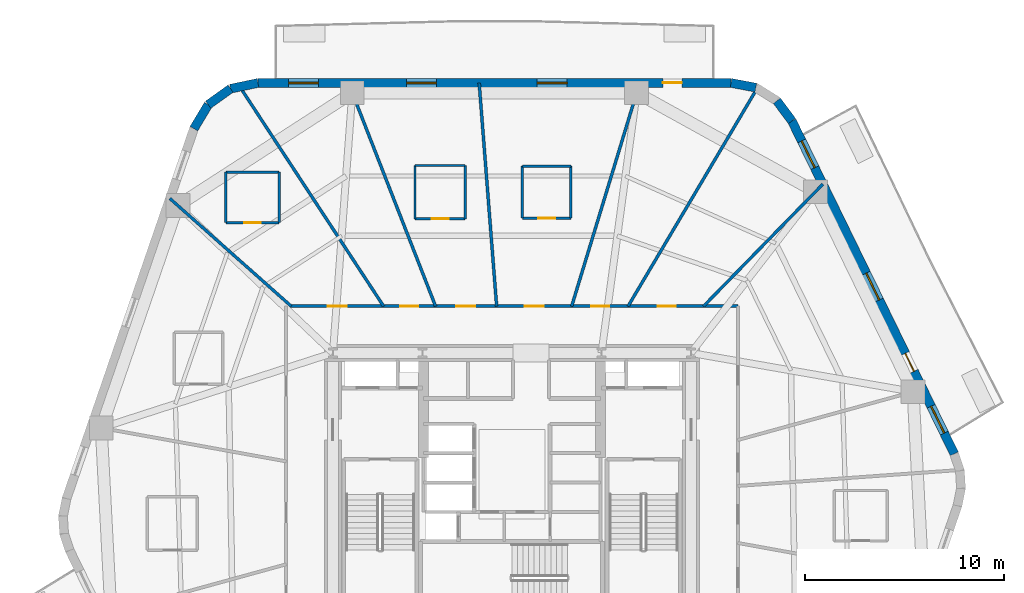
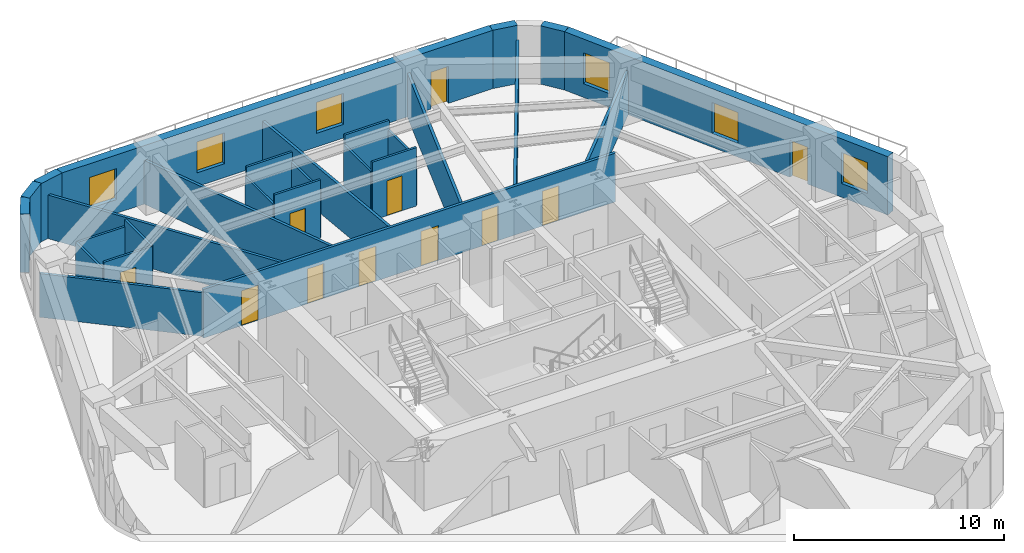
# One storey, part 6 of 10: 27 walls, 11 doors, 6 windows, 17 openings.
"""IFC4 building model written with IfcOpenShell, lengths in metres."""

from ifc_helpers import new_model, si_unit, direction, frame, frame_2d, origin, place, context, subcontext, project, spatial, rectangle, extrude, material, layer, layer_set, type_object, element, fill, save


model = new_model("IFC4")

# Units and contexts
model_context = context("Model", 3, precision=1e-05, world=origin(), true_north=direction((0.0, 1.0)))
body_context = subcontext(model_context, "Body", "Model", "MODEL_VIEW")
ifc_project = project(units=[si_unit("LENGTHUNIT", "METRE"), si_unit("AREAUNIT", "SQUARE_METRE"), si_unit("VOLUMEUNIT", "CUBIC_METRE"), si_unit("PLANEANGLEUNIT", "RADIAN"), si_unit("MASSUNIT", "GRAM", prefix="KILO")], contexts=[model_context])

# Site, building, storey
site_placement = place(None, origin())
site = spatial("IfcSite", under=ifc_project, at=site_placement, CompositionType="ELEMENT")
building_placement = place(site_placement, origin())
building = spatial("IfcBuilding", under=site, at=building_placement, Name="Kilnhurst Terrace Hotel", CompositionType="ELEMENT")
storey_placement = place(building_placement, frame((0.0, 0.0, 91.39990234375)))
storey = spatial("IfcBuildingStorey", under=building, at=storey_placement, Name="L21", CompositionType="ELEMENT", Elevation=91.39990234375)

# Walls
ifc_material_1 = material(Name="Precast concrete C40/50", Category="concrete")
ifc_layer_1 = layer(ifc_material_1, 0.449951171875, Name="Precast concrete C40/50")
ifc_layer_set_1 = layer_set([ifc_layer_1], Name="Precast concrete C40/50")
wall_type_1 = type_object("IfcWallType", Name="WL-BRK-450", PredefinedType="SOLIDWALL", material=ifc_layer_set_1)
for number, where, z_axis, x_axis, name in (
    (1, (14.07568359375, 19.16064453125, 0.0), (0.0, 0.0, 1.0), (-0.597226657159, 0.802072515412, 0.0), "L21 Rounded Corner Brick Wall C4.1"),
    (2, (12.25927734375, 20.840087890625, 0.0), (0.0, 0.0, 1.0), (-0.982730354425, 0.185043374624, 0.0), "L21 Rounded Corner Brick Wall C4.3"),
):
    element("IfcWall", number, at=place(storey_placement, frame(where, z_axis=z_axis, x_axis=x_axis)), inside=storey, type_object=wall_type_1, Name=name, PredefinedType="SOLIDWALL", context=body_context, shape_type="SweptSolid", body=[
        extrude(rectangle(XDim=1.269287109375, YDim=0.449951171875, at=frame_2d((0.634765625, 0.0))), origin(), (0.0, 0.0, 1.0), 3.400146484375),
    ])
wall_1_placement = place(storey_placement, frame((-12.7705078125, 21.074951171875, 0.0), z_axis=(0.0, 0.0, 1.0), x_axis=(-0.97874281988, -0.205091424819, 0.0)))
element("IfcWall", 3, at=wall_1_placement, inside=storey, type_object=wall_type_1, Name="L21 Rounded Corner Brick Wall C5.1", PredefinedType="SOLIDWALL", context=body_context, shape_type="SweptSolid", body=[
    extrude(rectangle(XDim=1.40576171875, YDim=0.449951171875, at=frame_2d((0.702880859375, 0.0))), origin(), (0.0, 0.0, 1.0), 3.400146484375),
])
wall_2_placement = place(storey_placement, frame((-14.146484375, 20.78662109375, 0.0), z_axis=(0.0, 0.0, 1.0), x_axis=(-0.814162929117, -0.580636482536, 0.0)))
element("IfcWall", 4, at=wall_2_placement, inside=storey, type_object=wall_type_1, Name="L21 Rounded Corner Brick Wall C5.2", PredefinedType="SOLIDWALL", context=body_context, shape_type="SweptSolid", body=[
    extrude(rectangle(XDim=1.382080078125, YDim=0.449951171875, at=frame_2d((0.69091796875, 0.0))), origin(), (0.0, 0.0, 1.0), 3.400146484375),
])
wall_3_placement = place(storey_placement, frame((-15.271728515625, 19.984130859375, 0.0), z_axis=(0.0, 0.0, 1.0), x_axis=(-0.512579347361, -0.858639862025, 0.0)))
element("IfcWall", 5, at=wall_3_placement, inside=storey, type_object=wall_type_1, Name="L21 Rounded Corner Brick Wall C5.3", PredefinedType="SOLIDWALL", context=body_context, shape_type="SweptSolid", body=[
    extrude(rectangle(XDim=1.406005859375, YDim=0.449951171875, at=frame_2d((0.703125, 0.0))), origin(), (0.0, 0.0, 1.0), 3.400146484375),
])

# Wall, openings, door, windows
wall_4_placement = place(storey_placement, frame((22.237548828125, 2.426513671875, 0.0), z_axis=(0.0, 0.0, 1.0), x_axis=(-0.438374803278, 0.898792262901, 0.0)))
wall_4 = element("IfcWall", 6, at=wall_4_placement, inside=storey, type_object=wall_type_1, Name="L21 Exterior Brick Facade Wall F3", PredefinedType="SOLIDWALL", context=body_context, shape_type="SweptSolid", body=[
    extrude(rectangle(XDim=18.618408203125, YDim=0.449951171875, at=frame_2d((9.30908203125, 0.0))), origin(), (0.0, 0.0, 1.0), 3.400146484375),
])
opening_1_placement = place(wall_4_placement, frame((4.6201171875, 0.0, 0.0)))
opening_1 = element("IfcOpeningElement", 7, at=opening_1_placement, cuts=wall_4, Name="Opening BD-1000", PredefinedType="OPENING", context=body_context, shape_type="SweptSolid", body=[
    extrude(rectangle(XDim=1.0, YDim=2.14990234375, at=frame_2d((0.5, 1.074951171875))), frame((0.0, 0.23486328125, 0.0), z_axis=(0.0, -1.0, 0.0), x_axis=(1.0, 0.0, 0.0)), (0.0, 0.0, 1.0), 0.469970703125),
])
opening_2_placement = place(wall_4_placement, frame((1.1630859375, 0.0, 0.800048828125)))
opening_2 = element("IfcOpeningElement", 8, at=opening_2_placement, cuts=wall_4, Name="Opening W-02", PredefinedType="OPENING", context=body_context, shape_type="SweptSolid", body=[
    extrude(rectangle(XDim=1.5, YDim=1.800048828125, at=frame_2d((0.75, 0.89990234375))), frame((0.0, 0.23486328125, 0.0), z_axis=(0.0, -1.0, 0.0), x_axis=(1.0, 0.0, 0.0)), (0.0, 0.0, 1.0), 0.469970703125),
])
opening_3_placement = place(wall_4_placement, frame((8.610107421875, 0.0, 0.800048828125)))
opening_3 = element("IfcOpeningElement", 9, at=opening_3_placement, cuts=wall_4, Name="Opening W-02", PredefinedType="OPENING", context=body_context, shape_type="SweptSolid", body=[
    extrude(rectangle(XDim=1.5, YDim=1.800048828125, at=frame_2d((0.75, 0.89990234375))), frame((0.0, 0.23486328125, 0.0), z_axis=(0.0, -1.0, 0.0), x_axis=(1.0, 0.0, 0.0)), (0.0, 0.0, 1.0), 0.469970703125),
])
opening_4_placement = place(wall_4_placement, frame((16.006103515625, 0.0, 0.800048828125)))
opening_4 = element("IfcOpeningElement", 10, at=opening_4_placement, cuts=wall_4, Name="Opening W-02", PredefinedType="OPENING", context=body_context, shape_type="SweptSolid", body=[
    extrude(rectangle(XDim=1.5, YDim=1.800048828125, at=frame_2d((0.75, 0.89990234375))), frame((0.0, 0.23486328125, 0.0), z_axis=(0.0, -1.0, 0.0), x_axis=(1.0, 0.0, 0.0)), (0.0, 0.0, 1.0), 0.469970703125),
])
ifc_material_2 = material(Name="Thermally Broken Bronze Aluminium Alloy 6063-T6 and Laminated Glass", Category="aluminium")
door_type_1 = type_object("IfcDoorType", Name="DR-EXT-BAL-1000", OperationType="NOTDEFINED", PredefinedType="DOOR", material=ifc_material_2)
door_1_placement = place(opening_1_placement, origin())
door_1 = element("IfcDoor", 11, at=door_1_placement, inside=storey, type_object=door_type_1, Name="L21 Planted Balcony Door BAL-L1A", OperationType="SINGLE_SWING_LEFT", OverallHeight=2.14990234375, OverallWidth=1.0, PredefinedType="DOOR", context=body_context, shape_type="SweptSolid", body=[
    extrude(rectangle(XDim=1.0, YDim=2.14990234375, at=frame_2d((0.5, 1.074951171875))), frame((0.0, 0.02490234375, 0.0), z_axis=(0.0, -1.0, 0.0), x_axis=(1.0, 0.0, 0.0)), (0.0, 0.0, 1.0), 0.050048828125),
])
fill(opening_1, door_1)
ifc_material_3 = material(Name="Thermally Broken Bronze Aluminium Alloy 6063-T6 and Low-E Glass", Category="aluminium")
window_type = type_object("IfcWindowType", Name="WIN-1500X1800", PartitioningType="SINGLE_PANEL", PredefinedType="WINDOW", material=ifc_material_3)
window_1_placement = place(opening_2_placement, origin())
window_1 = element("IfcWindow", 12, at=window_1_placement, inside=storey, type_object=window_type, Name="L21 Deep-Set Masonry Window F3.1", OverallHeight=1.800048828125, OverallWidth=1.5, PartitioningType="SINGLE_PANEL", PredefinedType="WINDOW", context=body_context, shape_type="SweptSolid", body=[
    extrude(rectangle(XDim=1.5, YDim=1.800048828125, at=frame_2d((0.75, 0.89990234375))), frame((0.0, 0.030029296875, 0.0), z_axis=(0.0, -1.0, 0.0), x_axis=(1.0, 0.0, 0.0)), (0.0, 0.0, 1.0), 0.06005859375),
])
fill(opening_2, window_1)
window_2_placement = place(opening_3_placement, origin())
window_2 = element("IfcWindow", 13, at=window_2_placement, inside=storey, type_object=window_type, Name="L21 Deep-Set Masonry Window F3.2", OverallHeight=1.800048828125, OverallWidth=1.5, PartitioningType="SINGLE_PANEL", PredefinedType="WINDOW", context=body_context, shape_type="SweptSolid", body=[
    extrude(rectangle(XDim=1.5, YDim=1.800048828125, at=frame_2d((0.75, 0.89990234375))), frame((0.0, 0.030029296875, 0.0), z_axis=(0.0, -1.0, 0.0), x_axis=(1.0, 0.0, 0.0)), (0.0, 0.0, 1.0), 0.06005859375),
])
fill(opening_3, window_2)
window_3_placement = place(opening_4_placement, origin())
window_3 = element("IfcWindow", 14, at=window_3_placement, inside=storey, type_object=window_type, Name="L21 Deep-Set Masonry Window F3.3", OverallHeight=1.800048828125, OverallWidth=1.5, PartitioningType="SINGLE_PANEL", PredefinedType="WINDOW", context=body_context, shape_type="SweptSolid", body=[
    extrude(rectangle(XDim=1.5, YDim=1.800048828125, at=frame_2d((0.75, 0.89990234375))), frame((0.0, 0.030029296875, 0.0), z_axis=(0.0, -1.0, 0.0), x_axis=(1.0, 0.0, 0.0)), (0.0, 0.0, 1.0), 0.06005859375),
])
fill(opening_4, window_3)

wall_5_placement = place(storey_placement, frame((11.011962890625, 21.074951171875, 0.0), z_axis=(0.0, 0.0, 1.0), x_axis=(-1.0, 0.0, 0.0)))
wall_5 = element("IfcWall", 15, at=wall_5_placement, inside=storey, type_object=wall_type_1, Name="L21 Exterior Brick Facade Wall F4", PredefinedType="SOLIDWALL", context=body_context, shape_type="SweptSolid", body=[
    extrude(rectangle(XDim=23.782470703125, YDim=0.449951171875, at=frame_2d((11.89111328125, 0.0))), origin(), (0.0, 0.0, 1.0), 3.400146484375),
])
opening_5_placement = place(wall_5_placement, frame((2.472900390625, 0.0, 0.0)))
opening_5 = element("IfcOpeningElement", 16, at=opening_5_placement, cuts=wall_5, Name="Opening BD-950", PredefinedType="OPENING", context=body_context, shape_type="SweptSolid", body=[
    extrude(rectangle(XDim=0.949951171875, YDim=2.14990234375, at=frame_2d((0.47509765625, 1.074951171875))), frame((0.0, 0.23486328125, 0.0), z_axis=(0.0, -1.0, 0.0), x_axis=(1.0, 0.0, 0.0)), (0.0, 0.0, 1.0), 0.469970703125),
])
opening_6_placement = place(wall_5_placement, frame((8.243896484375, 0.0, 0.800048828125)))
opening_6 = element("IfcOpeningElement", 17, at=opening_6_placement, cuts=wall_5, Name="Opening W-02", PredefinedType="OPENING", context=body_context, shape_type="SweptSolid", body=[
    extrude(rectangle(XDim=1.5, YDim=1.800048828125, at=frame_2d((0.75, 0.89990234375))), frame((0.0, 0.23486328125, 0.0), z_axis=(0.0, -1.0, 0.0), x_axis=(1.0, 0.0, 0.0)), (0.0, 0.0, 1.0), 0.469970703125),
])
opening_7_placement = place(wall_5_placement, frame((14.81103515625, 0.0, 0.800048828125)))
opening_7 = element("IfcOpeningElement", 18, at=opening_7_placement, cuts=wall_5, Name="Opening W-02", PredefinedType="OPENING", context=body_context, shape_type="SweptSolid", body=[
    extrude(rectangle(XDim=1.5, YDim=1.800048828125, at=frame_2d((0.75, 0.89990234375))), frame((0.0, 0.23486328125, 0.0), z_axis=(0.0, -1.0, 0.0), x_axis=(1.0, 0.0, 0.0)), (0.0, 0.0, 1.0), 0.469970703125),
])
opening_8_placement = place(wall_5_placement, frame((20.740966796875, 0.0, 0.800048828125)))
opening_8 = element("IfcOpeningElement", 19, at=opening_8_placement, cuts=wall_5, Name="Opening W-02", PredefinedType="OPENING", context=body_context, shape_type="SweptSolid", body=[
    extrude(rectangle(XDim=1.5, YDim=1.800048828125, at=frame_2d((0.75, 0.89990234375))), frame((0.0, 0.23486328125, 0.0), z_axis=(0.0, -1.0, 0.0), x_axis=(1.0, 0.0, 0.0)), (0.0, 0.0, 1.0), 0.469970703125),
])
door_type_2 = type_object("IfcDoorType", Name="DR-EXT-BAL-950", OperationType="NOTDEFINED", PredefinedType="DOOR", material=ifc_material_2)
door_2_placement = place(opening_5_placement, origin())
door_2 = element("IfcDoor", 20, at=door_2_placement, inside=storey, type_object=door_type_2, Name="L21 Planted Balcony Door BAL-L1B", OperationType="SINGLE_SWING_RIGHT", OverallHeight=2.14990234375, OverallWidth=0.949951171875, PredefinedType="DOOR", context=body_context, shape_type="SweptSolid", body=[
    extrude(rectangle(XDim=0.949951171875, YDim=2.14990234375, at=frame_2d((0.47509765625, 1.074951171875))), frame((0.0, 0.02490234375, 0.0), z_axis=(0.0, -1.0, 0.0), x_axis=(1.0, 0.0, 0.0)), (0.0, 0.0, 1.0), 0.050048828125),
])
fill(opening_5, door_2)
window_4_placement = place(opening_6_placement, origin())
window_4 = element("IfcWindow", 21, at=window_4_placement, inside=storey, type_object=window_type, Name="L21 Deep-Set Masonry Window F4.1", OverallHeight=1.800048828125, OverallWidth=1.5, PartitioningType="SINGLE_PANEL", PredefinedType="WINDOW", context=body_context, shape_type="SweptSolid", body=[
    extrude(rectangle(XDim=1.5, YDim=1.800048828125, at=frame_2d((0.75, 0.89990234375))), frame((0.0, 0.030029296875, 0.0), z_axis=(0.0, -1.0, 0.0), x_axis=(1.0, 0.0, 0.0)), (0.0, 0.0, 1.0), 0.06005859375),
])
fill(opening_6, window_4)
window_5_placement = place(opening_7_placement, origin())
window_5 = element("IfcWindow", 22, at=window_5_placement, inside=storey, type_object=window_type, Name="L21 Deep-Set Masonry Window F4.2", OverallHeight=1.800048828125, OverallWidth=1.5, PartitioningType="SINGLE_PANEL", PredefinedType="WINDOW", context=body_context, shape_type="SweptSolid", body=[
    extrude(rectangle(XDim=1.5, YDim=1.800048828125, at=frame_2d((0.75, 0.89990234375))), frame((0.0, 0.030029296875, 0.0), z_axis=(0.0, -1.0, 0.0), x_axis=(1.0, 0.0, 0.0)), (0.0, 0.0, 1.0), 0.06005859375),
])
fill(opening_7, window_5)
window_6_placement = place(opening_8_placement, origin())
window_6 = element("IfcWindow", 23, at=window_6_placement, inside=storey, type_object=window_type, Name="L21 Deep-Set Masonry Window F4.3", OverallHeight=1.800048828125, OverallWidth=1.5, PartitioningType="SINGLE_PANEL", PredefinedType="WINDOW", context=body_context, shape_type="SweptSolid", body=[
    extrude(rectangle(XDim=1.5, YDim=1.800048828125, at=frame_2d((0.75, 0.89990234375))), frame((0.0, 0.030029296875, 0.0), z_axis=(0.0, -1.0, 0.0), x_axis=(1.0, 0.0, 0.0)), (0.0, 0.0, 1.0), 0.06005859375),
])
fill(opening_8, window_6)

# Wall, openings, doors
ifc_material_4 = material(Name="Acoustic Double-Gypsum Corridor Partition Assembly")
ifc_layer_2 = layer(ifc_material_4, 0.14990234375, Name="Acoustic Double-Gypsum Corridor Partition Assembly")
ifc_layer_set_2 = layer_set([ifc_layer_2], Name="Acoustic Double-Gypsum Corridor Partition Assembly")
wall_type_2 = type_object("IfcWallType", Name="WL-COR-150", PredefinedType="PARTITIONING", material=ifc_layer_set_2)
wall_6_placement = place(storey_placement, frame((-11.35009765625, 9.85009765625, 0.0), z_axis=(0.0, 0.0, 1.0), x_axis=(1.0, 0.0, 0.0)))
wall_6 = element("IfcWall", 24, at=wall_6_placement, inside=storey, type_object=wall_type_2, Name="L21 Interior Wall WL-L21-COR-02", PredefinedType="PARTITIONING", context=body_context, shape_type="SweptSolid", body=[
    extrude(rectangle(XDim=22.7001953125, YDim=0.14990234375, at=frame_2d((11.35009765625, 0.0))), origin(), (0.0, 0.0, 1.0), 2.840087890625),
])
opening_9_placement = place(wall_6_placement, frame((18.678955078125, 0.0, 0.0)))
opening_9 = element("IfcOpeningElement", 25, at=opening_9_placement, cuts=wall_6, Name="Opening D-60C", PredefinedType="OPENING", context=body_context, shape_type="SweptSolid", body=[
    extrude(rectangle(XDim=0.89990234375, YDim=2.030029296875, at=frame_2d((0.449951171875, 1.01513671875))), frame((0.0, 0.0849609375, 0.0), z_axis=(0.0, -1.0, 0.0), x_axis=(1.0, 0.0, 0.0)), (0.0, 0.0, 1.0), 0.169921875),
])
opening_10_placement = place(wall_6_placement, frame((15.3369140625, 0.0, 0.0)))
opening_10 = element("IfcOpeningElement", 26, at=opening_10_placement, cuts=wall_6, Name="Opening D-60C", PredefinedType="OPENING", context=body_context, shape_type="SweptSolid", body=[
    extrude(rectangle(XDim=0.89990234375, YDim=2.030029296875, at=frame_2d((0.449951171875, 1.01513671875))), frame((0.0, 0.0849609375, 0.0), z_axis=(0.0, -1.0, 0.0), x_axis=(1.0, 0.0, 0.0)), (0.0, 0.0, 1.0), 0.169921875),
])
opening_11_placement = place(wall_6_placement, frame((11.993896484375, 0.0, 0.0)))
opening_11 = element("IfcOpeningElement", 27, at=opening_11_placement, cuts=wall_6, Name="Opening D-60B", PredefinedType="OPENING", context=body_context, shape_type="SweptSolid", body=[
    extrude(rectangle(XDim=0.949951171875, YDim=2.030029296875, at=frame_2d((0.47509765625, 1.01513671875))), frame((0.0, 0.0849609375, 0.0), z_axis=(0.0, -1.0, 0.0), x_axis=(1.0, 0.0, 0.0)), (0.0, 0.0, 1.0), 0.169921875),
])
opening_12_placement = place(wall_6_placement, frame((8.55908203125, 0.0, 0.0)))
opening_12 = element("IfcOpeningElement", 28, at=opening_12_placement, cuts=wall_6, Name="Opening D-60B", PredefinedType="OPENING", context=body_context, shape_type="SweptSolid", body=[
    extrude(rectangle(XDim=0.949951171875, YDim=2.030029296875, at=frame_2d((0.47509765625, 1.01513671875))), frame((0.0, 0.0849609375, 0.0), z_axis=(0.0, -1.0, 0.0), x_axis=(1.0, 0.0, 0.0)), (0.0, 0.0, 1.0), 0.169921875),
])
opening_13_placement = place(wall_6_placement, frame((5.72802734375, 0.0, 0.0)))
opening_13 = element("IfcOpeningElement", 29, at=opening_13_placement, cuts=wall_6, Name="Opening D-60C", PredefinedType="OPENING", context=body_context, shape_type="SweptSolid", body=[
    extrude(rectangle(XDim=0.89990234375, YDim=2.030029296875, at=frame_2d((0.449951171875, 1.01513671875))), frame((0.0, 0.0849609375, 0.0), z_axis=(0.0, -1.0, 0.0), x_axis=(1.0, 0.0, 0.0)), (0.0, 0.0, 1.0), 0.169921875),
])
opening_14_placement = place(wall_6_placement, frame((2.093017578125, 0.0, 0.0)))
opening_14 = element("IfcOpeningElement", 30, at=opening_14_placement, cuts=wall_6, Name="Opening D-60B", PredefinedType="OPENING", context=body_context, shape_type="SweptSolid", body=[
    extrude(rectangle(XDim=0.949951171875, YDim=2.030029296875, at=frame_2d((0.47509765625, 1.01513671875))), frame((0.0, 0.0849609375, 0.0), z_axis=(0.0, -1.0, 0.0), x_axis=(1.0, 0.0, 0.0)), (0.0, 0.0, 1.0), 0.169921875),
])
ifc_material_5 = material(Name="Painted Solid-Core Service Fire Door")
door_type_3 = type_object("IfcDoorType", Name="DR-FD60-900", OperationType="NOTDEFINED", PredefinedType="DOOR", material=ifc_material_5)
door_3_placement = place(opening_9_placement, origin())
door_3 = element("IfcDoor", 31, at=door_3_placement, inside=storey, type_object=door_type_3, Name="L21 Executive Work Office Door 3", OperationType="SINGLE_SWING_LEFT", OverallHeight=2.030029296875, OverallWidth=0.89990234375, PredefinedType="DOOR", context=body_context, shape_type="SweptSolid", body=[
    extrude(rectangle(XDim=0.89990234375, YDim=2.030029296875, at=frame_2d((0.449951171875, 1.01513671875))), frame((0.0, 0.02490234375, 0.0), z_axis=(0.0, -1.0, 0.0), x_axis=(1.0, 0.0, 0.0)), (0.0, 0.0, 1.0), 0.050048828125),
])
fill(opening_9, door_3)
door_4_placement = place(opening_10_placement, origin())
door_4 = element("IfcDoor", 32, at=door_4_placement, inside=storey, type_object=door_type_3, Name="L21 Botanical Reading Lounge Door 4", OperationType="SINGLE_SWING_RIGHT", OverallHeight=2.030029296875, OverallWidth=0.89990234375, PredefinedType="DOOR", context=body_context, shape_type="SweptSolid", body=[
    extrude(rectangle(XDim=0.89990234375, YDim=2.030029296875, at=frame_2d((0.449951171875, 1.01513671875))), frame((0.0, 0.02490234375, 0.0), z_axis=(0.0, -1.0, 0.0), x_axis=(1.0, 0.0, 0.0)), (0.0, 0.0, 1.0), 0.050048828125),
])
fill(opening_10, door_4)
door_5_placement = place(opening_13_placement, origin())
door_5 = element("IfcDoor", 33, at=door_5_placement, inside=storey, type_object=door_type_3, Name="L21 Private Meeting Salon Door 7", OperationType="SINGLE_SWING_LEFT", OverallHeight=2.030029296875, OverallWidth=0.89990234375, PredefinedType="DOOR", context=body_context, shape_type="SweptSolid", body=[
    extrude(rectangle(XDim=0.89990234375, YDim=2.030029296875, at=frame_2d((0.449951171875, 1.01513671875))), frame((0.0, 0.02490234375, 0.0), z_axis=(0.0, -1.0, 0.0), x_axis=(1.0, 0.0, 0.0)), (0.0, 0.0, 1.0), 0.050048828125),
])
fill(opening_13, door_5)
ifc_material_6 = material(Name="Acoustic Walnut Veneer Solid-Core Fire Door")
door_type_4 = type_object("IfcDoorType", Name="DR-FD60-950", OperationType="NOTDEFINED", PredefinedType="DOOR", material=ifc_material_6)
door_6_placement = place(opening_11_placement, origin())
door_6 = element("IfcDoor", 34, at=door_6_placement, inside=storey, type_object=door_type_4, Name="L21 Guest Room Entry Door 5", OperationType="SINGLE_SWING_LEFT", OverallHeight=2.030029296875, OverallWidth=0.949951171875, PredefinedType="DOOR", context=body_context, shape_type="SweptSolid", body=[
    extrude(rectangle(XDim=0.949951171875, YDim=2.030029296875, at=frame_2d((0.47509765625, 1.01513671875))), frame((0.0, 0.02490234375, 0.0), z_axis=(0.0, -1.0, 0.0), x_axis=(1.0, 0.0, 0.0)), (0.0, 0.0, 1.0), 0.050048828125),
])
fill(opening_11, door_6)
door_7_placement = place(opening_12_placement, origin())
door_7 = element("IfcDoor", 35, at=door_7_placement, inside=storey, type_object=door_type_4, Name="L21 Guest Room Entry Door 6", OperationType="SINGLE_SWING_RIGHT", OverallHeight=2.030029296875, OverallWidth=0.949951171875, PredefinedType="DOOR", context=body_context, shape_type="SweptSolid", body=[
    extrude(rectangle(XDim=0.949951171875, YDim=2.030029296875, at=frame_2d((0.47509765625, 1.01513671875))), frame((0.0, 0.02490234375, 0.0), z_axis=(0.0, -1.0, 0.0), x_axis=(1.0, 0.0, 0.0)), (0.0, 0.0, 1.0), 0.050048828125),
])
fill(opening_12, door_7)
door_8_placement = place(opening_14_placement, origin())
door_8 = element("IfcDoor", 36, at=door_8_placement, inside=storey, type_object=door_type_4, Name="L21 Guest Room Entry Door 8", OperationType="SINGLE_SWING_RIGHT", OverallHeight=2.030029296875, OverallWidth=0.949951171875, PredefinedType="DOOR", context=body_context, shape_type="SweptSolid", body=[
    extrude(rectangle(XDim=0.949951171875, YDim=2.030029296875, at=frame_2d((0.47509765625, 1.01513671875))), frame((0.0, 0.02490234375, 0.0), z_axis=(0.0, -1.0, 0.0), x_axis=(1.0, 0.0, 0.0)), (0.0, 0.0, 1.0), 0.050048828125),
])
fill(opening_14, door_8)

# Walls
ifc_material_7 = material(Name="STC-58 Acoustic Twin-Frame Guestroom Demising Partition")
ifc_layer_3 = layer(ifc_material_7, 0.14990234375, Name="STC-58 Acoustic Twin-Frame Guestroom Demising Partition")
ifc_layer_set_3 = layer_set([ifc_layer_3], Name="STC-58 Acoustic Twin-Frame Guestroom Demising Partition")
wall_type_3 = type_object("IfcWallType", Name="WL-DEM-150", PredefinedType="PARTITIONING", material=ifc_layer_set_3)
wall_7_placement = place(storey_placement, frame((9.6279296875, 9.85009765625, 0.0), z_axis=(0.0, 0.0, 1.0), x_axis=(0.698992824326, 0.715128681805, 0.0)))
element("IfcWall", 37, at=wall_7_placement, inside=storey, type_object=wall_type_3, Name="L21 Interior Wall WL-L21-DEM-COL02-03-1", PredefinedType="PARTITIONING", context=body_context, shape_type="SweptSolid", body=[
    extrude(rectangle(XDim=8.578857421875, YDim=0.14990234375, at=frame_2d((4.28955078125, 0.0))), origin(), (0.0, 0.0, 1.0), 2.5400390625),
])
wall_8_placement = place(storey_placement, frame((5.835205078125, 9.85009765625, 0.0), z_axis=(0.0, 0.0, 1.0), x_axis=(0.509682574642, 0.860362524234, 0.0)))
element("IfcWall", 38, at=wall_8_placement, inside=storey, type_object=wall_type_3, Name="L21 Interior Wall WL-L21-DEM-MID02-04-1", PredefinedType="PARTITIONING", context=body_context, shape_type="SweptSolid", body=[
    extrude(rectangle(XDim=12.567626953125, YDim=0.14990234375, at=frame_2d((6.28369140625, 0.0))), origin(), (0.0, 0.0, 1.0), 2.5400390625),
])
wall_9_placement = place(storey_placement, frame((3.0, 9.85009765625, 0.0), z_axis=(0.0, 0.0, 1.0), x_axis=(0.291352035382, 0.95661590593, 0.0)))
element("IfcWall", 39, at=wall_9_placement, inside=storey, type_object=wall_type_3, Name="L21 Interior Wall WL-L21-DEM-COL03-05-1", PredefinedType="PARTITIONING", context=body_context, shape_type="SweptSolid", body=[
    extrude(rectangle(XDim=11.73388671875, YDim=0.14990234375, at=frame_2d((5.866943359375, 0.0))), origin(), (0.0, 0.0, 1.0), 2.5400390625),
])
wall_10_placement = place(storey_placement, frame((-0.771728515625, 9.85009765625, 0.0), z_axis=(0.0, 0.0, 1.0), x_axis=(-0.078125747145, 0.996943512759, 0.0)))
element("IfcWall", 40, at=wall_10_placement, inside=storey, type_object=wall_type_3, Name="L21 Interior Wall WL-L21-DEM-MID03-06-1", PredefinedType="PARTITIONING", context=body_context, shape_type="SweptSolid", body=[
    extrude(rectangle(XDim=11.25927734375, YDim=0.14990234375, at=frame_2d((5.629638671875, 0.0))), origin(), (0.0, 0.0, 1.0), 2.5400390625),
])
wall_11_placement = place(storey_placement, frame((-3.84228515625, 9.85009765625, 0.0), z_axis=(0.0, 0.0, 1.0), x_axis=(-0.363432685593, 0.931620460833, 0.0)))
element("IfcWall", 41, at=wall_11_placement, inside=storey, type_object=wall_type_3, Name="L21 Interior Wall WL-L21-DEM-COL04-07-1", PredefinedType="PARTITIONING", context=body_context, shape_type="SweptSolid", body=[
    extrude(rectangle(XDim=12.048828125, YDim=0.14990234375, at=frame_2d((6.0244140625, 0.0))), origin(), (0.0, 0.0, 1.0), 2.5400390625),
])
wall_12_placement = place(storey_placement, frame((-6.453857421875, 9.85009765625, 0.0), z_axis=(0.0, 0.0, 1.0), x_axis=(-0.548052950111, 0.836443640584, 0.0)))
element("IfcWall", 42, at=wall_12_placement, inside=storey, type_object=wall_type_3, Name="L21 Interior Wall WL-L21-DEM-MID04-08-1", PredefinedType="PARTITIONING", context=body_context, shape_type="SweptSolid", body=[
    extrude(rectangle(XDim=13.019287109375, YDim=0.14990234375, at=frame_2d((6.509765625, 0.0))), origin(), (0.0, 0.0, 1.0), 2.5400390625),
])
wall_13_placement = place(storey_placement, frame((-11.097900390625, 9.85009765625, 0.0), z_axis=(0.0, 0.0, 1.0), x_axis=(-0.747904295103, 0.663806572253, 0.0)))
element("IfcWall", 43, at=wall_13_placement, inside=storey, type_object=wall_type_3, Name="L21 Interior Wall WL-L21-DEM-COL05-09-1", PredefinedType="PARTITIONING", context=body_context, shape_type="SweptSolid", body=[
    extrude(rectangle(XDim=8.160400390625, YDim=0.14990234375, at=frame_2d((4.080078125, 0.0))), origin(), (0.0, 0.0, 1.0), 2.5400390625),
])

# Wall, opening, door
ifc_material_8 = material(Name="120 mm Moisture-Resistant Tile-Backed Bathroom Partition")
ifc_layer_4 = layer(ifc_material_8, 0.1201171875, Name="120 mm Moisture-Resistant Tile-Backed Bathroom Partition")
ifc_layer_set_4 = layer_set([ifc_layer_4], Name="120 mm Moisture-Resistant Tile-Backed Bathroom Partition")
wall_type_4 = type_object("IfcWallType", Name="WL-PART-120", PredefinedType="PARTITIONING", material=ifc_layer_set_4)
wall_14_placement = place(storey_placement, frame((0.52099609375, 14.281982421875, 0.0), z_axis=(0.0, 0.0, 1.0), x_axis=(1.0, 0.0, 0.0)))
wall_14 = element("IfcWall", 44, at=wall_14_placement, inside=storey, type_object=wall_type_4, Name="L21 Interior Wall WL-L21-BTH-05-1", PredefinedType="PARTITIONING", context=body_context, shape_type="SweptSolid", body=[
    extrude(rectangle(XDim=2.43994140625, YDim=0.1201171875, at=frame_2d((1.219970703125, 0.0))), origin(), (0.0, 0.0, 1.0), 3.400146484375),
])
opening_15_placement = place(wall_14_placement, frame((0.794921875, 0.0, 0.0)))
opening_15 = element("IfcOpeningElement", 45, at=opening_15_placement, cuts=wall_14, Name="Opening D-08A", PredefinedType="OPENING", context=body_context, shape_type="SweptSolid", body=[
    extrude(rectangle(XDim=0.85009765625, YDim=2.030029296875, at=frame_2d((0.425048828125, 1.01513671875))), frame((0.0, 0.070068359375, 0.0), z_axis=(0.0, -1.0, 0.0), x_axis=(1.0, 0.0, 0.0)), (0.0, 0.0, 1.0), 0.14013671875),
])
ifc_material_9 = material(Name="Moisture-Resistant Lacquered En-suite Bathroom Door")
door_type_5 = type_object("IfcDoorType", Name="DR-INT-850", OperationType="NOTDEFINED", PredefinedType="DOOR", material=ifc_material_9)
door_9_placement = place(opening_15_placement, origin())
door_9 = element("IfcDoor", 46, at=door_9_placement, inside=storey, type_object=door_type_5, Name="L21 En-suite Bathroom Door 5", OperationType="SINGLE_SWING_RIGHT", OverallHeight=2.030029296875, OverallWidth=0.85009765625, PredefinedType="DOOR", context=body_context, shape_type="SweptSolid", body=[
    extrude(rectangle(XDim=0.85009765625, YDim=2.030029296875, at=frame_2d((0.425048828125, 1.01513671875))), frame((0.0, 0.02490234375, 0.0), z_axis=(0.0, -1.0, 0.0), x_axis=(1.0, 0.0, 0.0)), (0.0, 0.0, 1.0), 0.050048828125),
])
fill(opening_15, door_9)

# Walls
wall_15_placement = place(storey_placement, frame((2.9609375, 14.281982421875, 0.0), z_axis=(0.0, 0.0, 1.0), x_axis=(0.0, 1.0, 0.0)))
element("IfcWall", 47, at=wall_15_placement, inside=storey, type_object=wall_type_4, Name="L21 Interior Wall WL-L21-BTH-05-2", PredefinedType="PARTITIONING", context=body_context, shape_type="SweptSolid", body=[
    extrude(rectangle(XDim=2.610107421875, YDim=0.1201171875, at=frame_2d((1.30517578125, 0.0))), origin(), (0.0, 0.0, 1.0), 2.840576171875),
])
wall_16_placement = place(storey_placement, frame((2.9609375, 16.89208984375, 0.0), z_axis=(0.0, 0.0, 1.0), x_axis=(-1.0, 0.0, 0.0)))
element("IfcWall", 48, at=wall_16_placement, inside=storey, type_object=wall_type_4, Name="L21 Interior Wall WL-L21-BTH-05-3", PredefinedType="PARTITIONING", context=body_context, shape_type="SweptSolid", body=[
    extrude(rectangle(XDim=2.43994140625, YDim=0.1201171875, at=frame_2d((1.219970703125, 0.0))), origin(), (0.0, 0.0, 1.0), 3.400146484375),
])
wall_17_placement = place(storey_placement, frame((0.52099609375, 16.89208984375, 0.0), z_axis=(0.0, 0.0, 1.0), x_axis=(0.0, -1.0, 0.0)))
element("IfcWall", 49, at=wall_17_placement, inside=storey, type_object=wall_type_4, Name="L21 Interior Wall WL-L21-BTH-05-4", PredefinedType="PARTITIONING", context=body_context, shape_type="SweptSolid", body=[
    extrude(rectangle(XDim=2.610107421875, YDim=0.1201171875, at=frame_2d((1.30517578125, 0.0))), origin(), (0.0, 0.0, 1.0), 2.840576171875),
])

# Wall, opening, door
wall_18_placement = place(storey_placement, frame((-4.8740234375, 14.2470703125, 0.0), z_axis=(0.0, 0.0, 1.0), x_axis=(1.0, 0.0, 0.0)))
wall_18 = element("IfcWall", 50, at=wall_18_placement, inside=storey, type_object=wall_type_4, Name="L21 Interior Wall WL-L21-BTH-06-1", PredefinedType="PARTITIONING", context=body_context, shape_type="SweptSolid", body=[
    extrude(rectangle(XDim=2.52001953125, YDim=0.1201171875, at=frame_2d((1.260009765625, 0.0))), origin(), (0.0, 0.0, 1.0), 3.400146484375),
])
opening_16_placement = place(wall_18_placement, frame((0.8349609375, 0.0, 0.0)))
opening_16 = element("IfcOpeningElement", 51, at=opening_16_placement, cuts=wall_18, Name="Opening D-08A", PredefinedType="OPENING", context=body_context, shape_type="SweptSolid", body=[
    extrude(rectangle(XDim=0.85009765625, YDim=2.030029296875, at=frame_2d((0.425048828125, 1.01513671875))), frame((0.0, 0.070068359375, 0.0), z_axis=(0.0, -1.0, 0.0), x_axis=(1.0, 0.0, 0.0)), (0.0, 0.0, 1.0), 0.14013671875),
])
door_10_placement = place(opening_16_placement, origin())
door_10 = element("IfcDoor", 52, at=door_10_placement, inside=storey, type_object=door_type_5, Name="L21 En-suite Bathroom Door 6", OperationType="SINGLE_SWING_LEFT", OverallHeight=2.030029296875, OverallWidth=0.85009765625, PredefinedType="DOOR", context=body_context, shape_type="SweptSolid", body=[
    extrude(rectangle(XDim=0.85009765625, YDim=2.030029296875, at=frame_2d((0.425048828125, 1.01513671875))), frame((0.0, 0.02490234375, 0.0), z_axis=(0.0, -1.0, 0.0), x_axis=(1.0, 0.0, 0.0)), (0.0, 0.0, 1.0), 0.050048828125),
])
fill(opening_16, door_10)

# Walls
wall_19_placement = place(storey_placement, frame((-2.35400390625, 14.2470703125, 0.0), z_axis=(0.0, 0.0, 1.0), x_axis=(0.0, 1.0, 0.0)))
element("IfcWall", 53, at=wall_19_placement, inside=storey, type_object=wall_type_4, Name="L21 Interior Wall WL-L21-BTH-06-2", PredefinedType="PARTITIONING", context=body_context, shape_type="SweptSolid", body=[
    extrude(rectangle(XDim=2.679931640625, YDim=0.1201171875, at=frame_2d((1.33984375, 0.0))), origin(), (0.0, 0.0, 1.0), 2.840576171875),
])
wall_20_placement = place(storey_placement, frame((-2.35400390625, 16.927001953125, 0.0), z_axis=(0.0, 0.0, 1.0), x_axis=(-1.0, 0.0, 0.0)))
element("IfcWall", 54, at=wall_20_placement, inside=storey, type_object=wall_type_4, Name="L21 Interior Wall WL-L21-BTH-06-3", PredefinedType="PARTITIONING", context=body_context, shape_type="SweptSolid", body=[
    extrude(rectangle(XDim=2.52001953125, YDim=0.1201171875, at=frame_2d((1.260009765625, 0.0))), origin(), (0.0, 0.0, 1.0), 3.400146484375),
])
wall_21_placement = place(storey_placement, frame((-4.8740234375, 16.927001953125, 0.0), z_axis=(0.0, 0.0, 1.0), x_axis=(0.0, -1.0, 0.0)))
element("IfcWall", 55, at=wall_21_placement, inside=storey, type_object=wall_type_4, Name="L21 Interior Wall WL-L21-BTH-06-4", PredefinedType="PARTITIONING", context=body_context, shape_type="SweptSolid", body=[
    extrude(rectangle(XDim=2.679931640625, YDim=0.1201171875, at=frame_2d((1.33984375, 0.0))), origin(), (0.0, 0.0, 1.0), 2.840576171875),
])

# Wall, opening, door
wall_22_placement = place(storey_placement, frame((-14.387939453125, 14.049072265625, 0.0), z_axis=(0.0, 0.0, 1.0), x_axis=(1.0, 0.0, 0.0)))
wall_22 = element("IfcWall", 56, at=wall_22_placement, inside=storey, type_object=wall_type_4, Name="L21 Interior Wall WL-L21-BTH-08-1", PredefinedType="PARTITIONING", context=body_context, shape_type="SweptSolid", body=[
    extrude(rectangle(XDim=2.679931640625, YDim=0.1201171875, at=frame_2d((1.33984375, 0.0))), origin(), (0.0, 0.0, 1.0), 2.926513671875),
])
opening_17_placement = place(wall_22_placement, frame((0.9150390625, 0.0, 0.0)))
opening_17 = element("IfcOpeningElement", 57, at=opening_17_placement, cuts=wall_22, Name="Opening D-08A", PredefinedType="OPENING", context=body_context, shape_type="SweptSolid", body=[
    extrude(rectangle(XDim=0.85009765625, YDim=2.030029296875, at=frame_2d((0.425048828125, 1.01513671875))), frame((0.0, 0.070068359375, 0.0), z_axis=(0.0, -1.0, 0.0), x_axis=(1.0, 0.0, 0.0)), (0.0, 0.0, 1.0), 0.14013671875),
])
door_11_placement = place(opening_17_placement, origin())
door_11 = element("IfcDoor", 58, at=door_11_placement, inside=storey, type_object=door_type_5, Name="L21 En-suite Bathroom Door 8", OperationType="SINGLE_SWING_LEFT", OverallHeight=2.030029296875, OverallWidth=0.85009765625, PredefinedType="DOOR", context=body_context, shape_type="SweptSolid", body=[
    extrude(rectangle(XDim=0.85009765625, YDim=2.030029296875, at=frame_2d((0.425048828125, 1.01513671875))), frame((0.0, 0.02490234375, 0.0), z_axis=(0.0, -1.0, 0.0), x_axis=(1.0, 0.0, 0.0)), (0.0, 0.0, 1.0), 0.050048828125),
])
fill(opening_17, door_11)

# Walls
wall_23_placement = place(storey_placement, frame((-11.7080078125, 14.049072265625, 0.0), z_axis=(0.0, 0.0, 1.0), x_axis=(0.0, 1.0, 0.0)))
element("IfcWall", 59, at=wall_23_placement, inside=storey, type_object=wall_type_4, Name="L21 Interior Wall WL-L21-BTH-08-2", PredefinedType="PARTITIONING", context=body_context, shape_type="SweptSolid", body=[
    extrude(rectangle(XDim=2.5400390625, YDim=0.1201171875, at=frame_2d((1.27001953125, 0.0))), origin(), (0.0, 0.0, 1.0), 2.926513671875),
])
wall_24_placement = place(storey_placement, frame((-11.7080078125, 16.589111328125, 0.0), z_axis=(0.0, 0.0, 1.0), x_axis=(-1.0, 0.0, 0.0)))
element("IfcWall", 60, at=wall_24_placement, inside=storey, type_object=wall_type_4, Name="L21 Interior Wall WL-L21-BTH-08-3", PredefinedType="PARTITIONING", context=body_context, shape_type="SweptSolid", body=[
    extrude(rectangle(XDim=2.679931640625, YDim=0.1201171875, at=frame_2d((1.33984375, 0.0))), origin(), (0.0, 0.0, 1.0), 2.5400390625),
])
wall_25_placement = place(storey_placement, frame((-14.387939453125, 16.589111328125, 0.0), z_axis=(0.0, 0.0, 1.0), x_axis=(0.0, -1.0, 0.0)))
element("IfcWall", 61, at=wall_25_placement, inside=storey, type_object=wall_type_4, Name="L21 Interior Wall WL-L21-BTH-08-4", PredefinedType="PARTITIONING", context=body_context, shape_type="SweptSolid", body=[
    extrude(rectangle(XDim=2.5400390625, YDim=0.1201171875, at=frame_2d((1.27001953125, 0.0))), origin(), (0.0, 0.0, 1.0), 2.5400390625),
])

save(model, "model.ifc")
